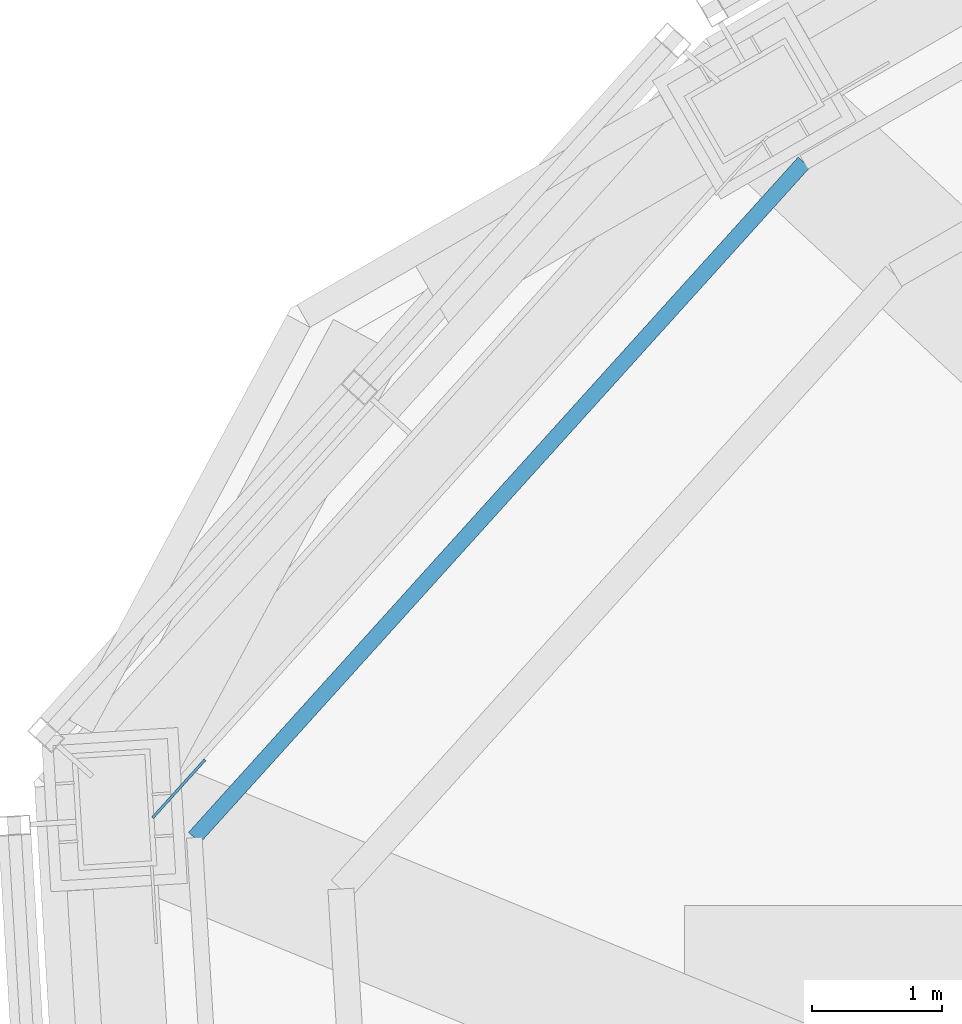
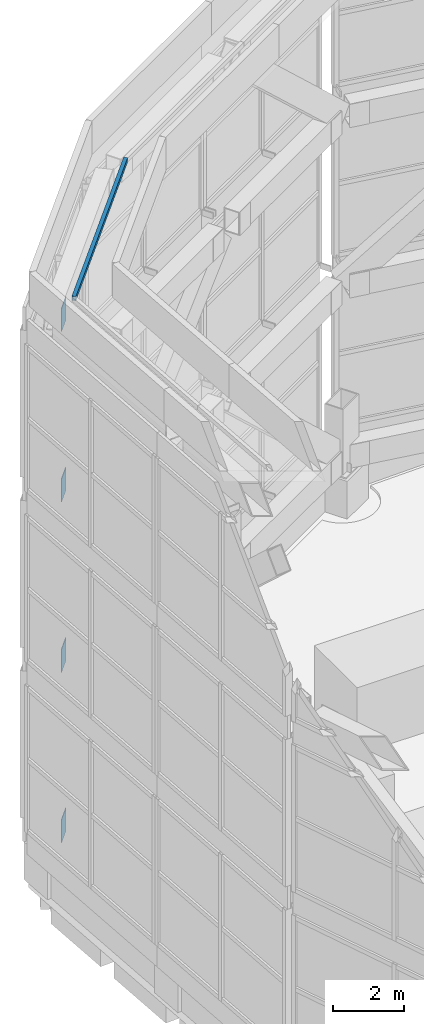
# One storey, part 24 of 46: 5 discrete accessories.
"""IFC4 building model written with IfcOpenShell, lengths in metres."""

from ifc_helpers import new_model, si_unit, direction, frame, origin, origin_2d, place, context, subcontext, project, spatial, rectangle, extrude, material, layer, layer_set, type_object, element, save


model = new_model("IFC4")

# Units and contexts
model_context = context("Model", 3, precision=1e-05, world=origin(), true_north=direction((0.0, 1.0)))
body_context = subcontext(model_context, "Body", "Model", "MODEL_VIEW")
ifc_project = project(units=[si_unit("LENGTHUNIT", "METRE"), si_unit("AREAUNIT", "SQUARE_METRE"), si_unit("VOLUMEUNIT", "CUBIC_METRE"), si_unit("PLANEANGLEUNIT", "RADIAN"), si_unit("MASSUNIT", "GRAM", prefix="KILO")], contexts=[model_context])

# Site, building, storey
site_placement = place(None, origin())
site = spatial("IfcSite", under=ifc_project, at=site_placement, CompositionType="ELEMENT")
building_placement = place(site_placement, origin())
building = spatial("IfcBuilding", under=site, at=building_placement, Name="Vanh Sen Convention Tower", CompositionType="ELEMENT")
storey_placement = place(building_placement, frame((0.0, 0.0, 305.0)))
storey = spatial("IfcBuildingStorey", under=building, at=storey_placement, Name="Roof level", CompositionType="ELEMENT", Elevation=305.0)

# Discrete accessories
ifc_material_1 = material(Name="Steel S355", Category="steel")
discrete_accessory_type_1 = type_object("IfcDiscreteAccessoryType", Name="BMU track rail 120 x 150", PredefinedType="USERDEFINED", material=ifc_material_1)
discrete_accessory_placement = place(storey_placement, frame((-16.365234375, 10.325439453125, 20.0), z_axis=(0.0, 0.0, 1.0), x_axis=(-0.670135194041, -0.742239059675, 0.0)))
element("IfcDiscreteAccessory", 1, at=discrete_accessory_placement, inside=storey, type_object=discrete_accessory_type_1, Name="BMU track rail 07", ObjectType="BMU TRACK", PredefinedType="USERDEFINED", context=body_context, shape_type="SweptSolid", body=[
    extrude(rectangle(XDim=6.988525390625, YDim=0.1201171875, at=origin_2d()), origin(), (0.0, 0.0, 1.0), 0.14990234375),
])
ifc_material_2 = material(Name="Steel S355", Category="steel")
ifc_layer = layer(ifc_material_2, 0.02001953125)
ifc_layer_set = layer_set([ifc_layer], Name="Steel S355")
discrete_accessory_type_2 = type_object("IfcDiscreteAccessoryType", Name="Crown gusset plate 600 x 800 x 20", PredefinedType="USERDEFINED", material=ifc_layer_set)
for number, where, z_axis, x_axis, name in (
    (2, (-18.826416015625, 8.10693359375, 1.34521484375), (0.0, 0.0, 1.0), (0.670142966713, 0.742232041995, 0.0), "GUSSET PLATE ring beam 1 span 09 end"),
    (3, (-18.826416015625, 8.10693359375, 7.21337890625), (0.0, 0.0, 1.0), (0.670142966713, 0.742232041995, 0.0), "GUSSET PLATE ring beam 2 span 09 end"),
    (4, (-18.826416015625, 8.10693359375, 13.08154296875), (0.0, 0.0, 1.0), (0.670142966713, 0.742232041995, 0.0), "GUSSET PLATE ring beam 3 span 09 end"),
    (5, (-18.826416015625, 8.10693359375, 18.9501953125), (0.0, 0.0, 1.0), (0.670142966713, 0.742232041995, 0.0), "GUSSET PLATE ring beam 4 span 09 end"),
):
    element("IfcDiscreteAccessory", number, at=place(storey_placement, frame(where, z_axis=z_axis, x_axis=x_axis)), inside=storey, type_object=discrete_accessory_type_2, Name=name, ObjectType="GUSSET PLATE", PredefinedType="USERDEFINED", context=body_context, shape_type="SweptSolid", body=[
        extrude(rectangle(XDim=0.60009765625, YDim=0.02001953125, at=origin_2d()), origin(), (0.0, 0.0, 1.0), 0.800048828125),
    ])

save(model, "model.ifc")
